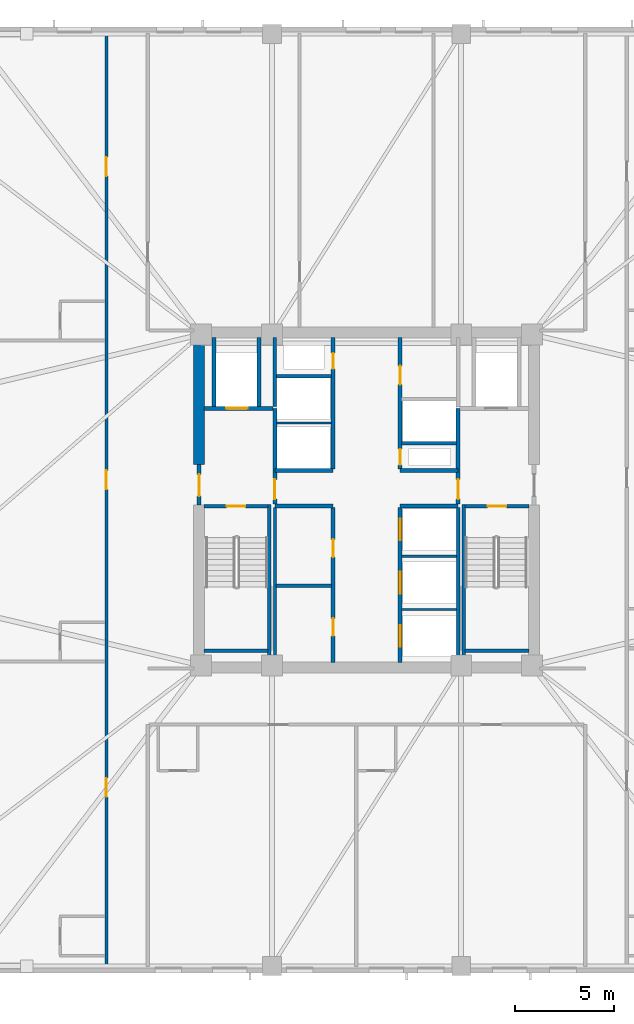
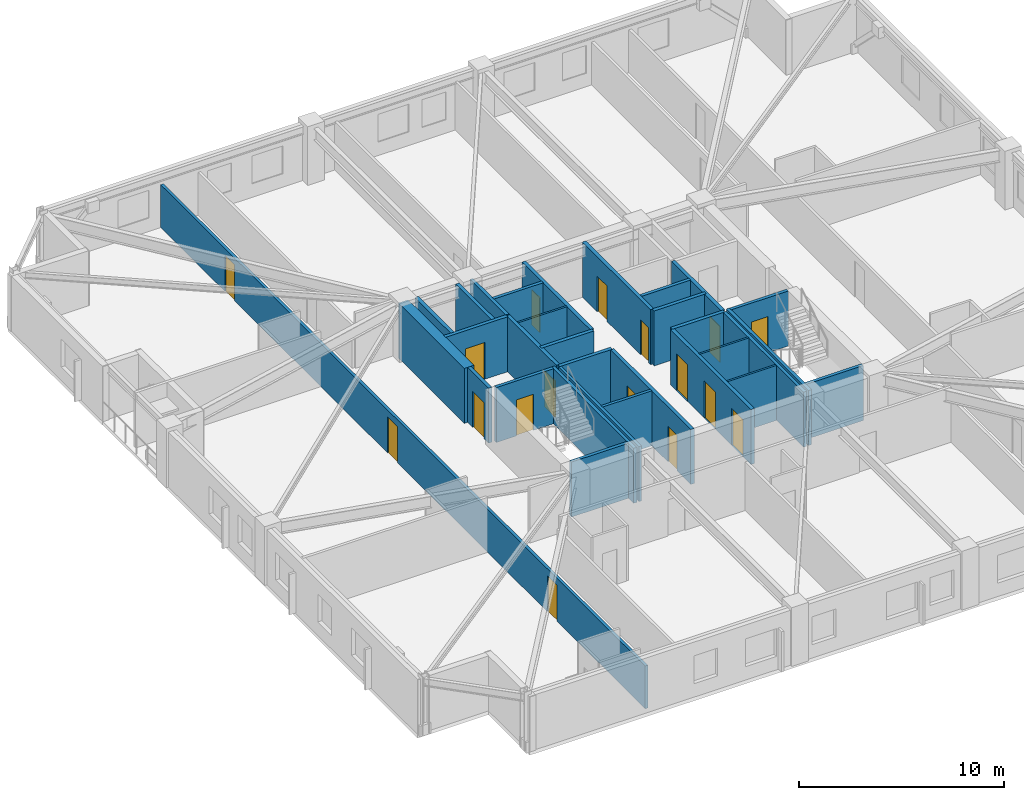
# One storey, part 3 of 10: 31 walls, 17 doors, 17 openings.
"""IFC4 building model written with IfcOpenShell, lengths in metres."""

import ifcopenshell
import ifcopenshell.guid

model = None  # the IFC model being written
_history = None  # IfcOwnerHistory: only IFC2X3 demands one
_inside = {}  # id of a spatial element -> (the spatial element, [elements in it])
_under = {}  # id of a project, library or spatial element -> (it, [spatial elements below it])
_declared = {}  # id of a project -> (the project, [libraries it declares])
_typed = {}  # id of a type object -> (the type object, [elements of that type])
_made_of = {}  # id of a material, layer set ... -> (it, [elements and type objects made of it])


def new_model(schema):
    """Start an empty IFC model of exactly this schema.

    Asked for "IFC4X3", IfcOpenShell would pick the latest addendum, in which some entities
    have other attributes; the version numbers below select the first issue.
    IFC2X3 requires an IfcOwnerHistory on every rooted entity: one is made here for all.
    """
    global model, _history
    if schema == "IFC4X3":
        model = ifcopenshell.file(schema_version=(4, 3, 0, 0))
    else:
        model = ifcopenshell.file(schema=schema)
    _inside.clear()
    _under.clear()
    _declared.clear()
    _typed.clear()
    _made_of.clear()
    _history = None
    if model.schema == "IFC2X3":
        org = make("IfcOrganization", Name="unknown")
        user = make(
            "IfcPersonAndOrganization",
            ThePerson=make("IfcPerson", FamilyName="unknown"),
            TheOrganization=org,
        )
        app = make(
            "IfcApplication",
            ApplicationDeveloper=org,
            Version="unknown",
            ApplicationFullName="unknown",
            ApplicationIdentifier="unknown",
        )
        _history = make(
            "IfcOwnerHistory",
            OwningUser=user,
            OwningApplication=app,
            ChangeAction="ADDED",
            CreationDate=0,
        )
    return model


def make(cls, **values):
    """One entity of the class cls with the attributes given. An attribute that is None is left unset."""
    return model.create_entity(
        cls, **{name: value for name, value in values.items() if value is not None}
    )


def rooted(cls, **values):
    """An entity with a GlobalId (a new one), such as an element, a storey or a relation."""
    return make(cls, GlobalId=ifcopenshell.guid.new(), OwnerHistory=_history, **values)


def si_unit(unit_type, name, prefix=None):
    """IfcSIUnit, for example si_unit("LENGTHUNIT", "METRE", prefix="MILLI")."""
    return make("IfcSIUnit", UnitType=unit_type, Prefix=prefix, Name=name)


def assignment(units):
    """IfcUnitAssignment: the units of a project."""
    return None if units is None else make("IfcUnitAssignment", Units=units)


def point(xyz):
    """IfcCartesianPoint."""
    return None if xyz is None else make("IfcCartesianPoint", Coordinates=xyz)


def direction(xyz):
    """IfcDirection."""
    return None if xyz is None else make("IfcDirection", DirectionRatios=xyz)


def frame(location, z_axis=None, x_axis=None):
    """IfcAxis2Placement3D, a coordinate frame: its origin and axes. An axis left out is left unset."""
    return make(
        "IfcAxis2Placement3D",
        Location=point(location),
        Axis=direction(z_axis),
        RefDirection=direction(x_axis),
    )


def frame_2d(location, x_axis=None):
    """IfcAxis2Placement2D, a coordinate frame in the plane: its origin and x axis."""
    return make(
        "IfcAxis2Placement2D", Location=point(location), RefDirection=direction(x_axis)
    )


def origin():
    """The frame at (0, 0, 0) with its axes left unset."""
    return frame((0.0, 0.0, 0.0))


def place(relative_to, where):
    """IfcLocalPlacement: puts the frame where relative to a parent placement (None: the world)."""
    return make(
        "IfcLocalPlacement", PlacementRelTo=relative_to, RelativePlacement=where
    )


def context(
    kind, dimensions, precision=None, world=None, true_north=None, identifier=None
):
    """IfcGeometricRepresentationContext, for example the 3D "Model" context."""
    return make(
        "IfcGeometricRepresentationContext",
        ContextIdentifier=identifier,
        ContextType=kind,
        CoordinateSpaceDimension=dimensions,
        Precision=precision,
        WorldCoordinateSystem=world,
        TrueNorth=true_north,
    )


def subcontext(parent, identifier, kind, view, scale=None):
    """IfcGeometricRepresentationSubContext, for example "Body" below "Model"."""
    return make(
        "IfcGeometricRepresentationSubContext",
        ContextIdentifier=identifier,
        ContextType=kind,
        ParentContext=parent,
        TargetScale=scale,
        TargetView=view,
    )


def project(units=None, contexts=None):
    """IfcProject with its units and contexts."""
    return rooted(
        "IfcProject",
        Name="project",
        RepresentationContexts=contexts,
        UnitsInContext=assignment(units),
    )


def spatial(cls, under=None, at=None, **own):
    """A site, building, storey or space (cls), placed at a placement, below another one or the project."""
    s = rooted(cls, ObjectPlacement=at, **own)
    if under is not None:
        _under.setdefault(under.id(), (under, []))[1].append(s)
    return s


def profile(cls, at=None, kind="AREA", **sizes):
    """A parametric profile (cls). Its sizes go by their IFC names, for example OverallWidth=200.0."""
    return make(cls, ProfileType=kind, Position=at, **sizes)


def rectangle(**sizes):
    """IfcRectangleProfileDef."""
    return profile("IfcRectangleProfileDef", **sizes)


def extrude(swept, where, along, depth):
    """IfcExtrudedAreaSolid: the profile swept, set in the frame where, extruded along a direction by depth."""
    return make(
        "IfcExtrudedAreaSolid",
        SweptArea=swept,
        Position=where,
        ExtrudedDirection=direction(along),
        Depth=depth,
    )


def shape(context_of_items, identifier, shape_type, items):
    """IfcShapeRepresentation: the items that make up one representation, for example the "Body"."""
    return make(
        "IfcShapeRepresentation",
        ContextOfItems=context_of_items,
        RepresentationIdentifier=identifier,
        RepresentationType=shape_type,
        Items=items,
    )


def material(Name=None, Category=None):
    """IfcMaterial."""
    return make("IfcMaterial", Name=Name, Category=Category)


def layer(
    of_material, thickness, ventilated=None, Name=None, Category=None, Priority=None
):
    """IfcMaterialLayer: one layer of a wall or slab, of a material (None: an air gap)."""
    return make(
        "IfcMaterialLayer",
        Material=of_material,
        LayerThickness=thickness,
        IsVentilated=ventilated,
        Name=Name,
        Category=Category,
        Priority=Priority,
    )


def layer_set(layers, Name=None):
    """IfcMaterialLayerSet."""
    return make("IfcMaterialLayerSet", MaterialLayers=layers, LayerSetName=Name)


def made_of(thing, what):
    """Note that an element or type object is made of a material, layer set ...; save() writes the relation."""
    if what is not None:
        _made_of.setdefault(what.id(), (what, []))[1].append(thing)
    return thing


def type_object(cls, material=None, **own):
    """A type object (cls), such as IfcWallType, which elements share."""
    return made_of(rooted(cls, **own), material)


def element(
    cls,
    number,
    at=None,
    inside=None,
    cuts=None,
    type_object=None,
    material=None,
    context=None,
    identifier="Body",
    shape_type=None,
    held_by="IfcProductDefinitionShape",
    body=None,
    shapes=None,
    **own,
):
    """One element of the class cls, such as IfcWall. Its Tag is "e" and its number.

    at: its placement. inside: the storey or other place that contains it. cuts: it is an
    opening in that element (IfcRelVoidsElement). A single representation is given by context,
    identifier, shape_type and body (its items); several are given by shapes. held_by: the class
    of the entity that holds the representations. save() writes the other relations.
    """
    e = rooted(cls, Tag="e%d" % number, ObjectPlacement=at, **own)
    if body is not None:
        shapes = [shape(context, identifier, shape_type, body)]
    if shapes is not None:
        e.Representation = make(held_by, Representations=shapes)
    if inside is not None:
        _inside.setdefault(inside.id(), (inside, []))[1].append(e)
    if cuts is not None:
        rooted(
            "IfcRelVoidsElement", RelatingBuildingElement=cuts, RelatedOpeningElement=e
        )
    if type_object is not None:
        _typed.setdefault(type_object.id(), (type_object, []))[1].append(e)
    return made_of(e, material)


def fill(opening, filler):
    """IfcRelFillsElement: the door or window that sits in an opening."""
    return rooted(
        "IfcRelFillsElement",
        RelatingOpeningElement=opening,
        RelatedBuildingElement=filler,
    )


def aggregate(whole, parts):
    """IfcRelAggregates: a whole, such as a stair, and the parts it consists of."""
    return rooted("IfcRelAggregates", RelatingObject=whole, RelatedObjects=parts)


def save(model, path):
    """Write the relations noted so far, then the file.

    IfcRelAggregates (storeys below a building ...), IfcRelContainedInSpatialStructure (elements
    in a storey), IfcRelDefinesByType, IfcRelAssociatesMaterial and IfcRelDeclares: one each for
    every whole, place, type object, material and project.
    """
    for whole, parts in _under.values():
        aggregate(whole, parts)
    for where, things in _inside.values():
        rooted(
            "IfcRelContainedInSpatialStructure",
            RelatedElements=things,
            RelatingStructure=where,
        )
    for kind, things in _typed.values():
        rooted("IfcRelDefinesByType", RelatedObjects=things, RelatingType=kind)
    for what, things in _made_of.values():
        rooted("IfcRelAssociatesMaterial", RelatedObjects=things, RelatingMaterial=what)
    for by, libraries in _declared.values():
        rooted("IfcRelDeclares", RelatingContext=by, RelatedDefinitions=libraries)
    model.write(path)


model = new_model("IFC4")

# Units and contexts
model_context = context("Model", 3, precision=1e-05, world=origin(), true_north=direction((0.0, 1.0)))
body_context = subcontext(model_context, "Body", "Model", "MODEL_VIEW")
ifc_project = project(units=[si_unit("LENGTHUNIT", "METRE"), si_unit("AREAUNIT", "SQUARE_METRE"), si_unit("VOLUMEUNIT", "CUBIC_METRE"), si_unit("PLANEANGLEUNIT", "RADIAN"), si_unit("MASSUNIT", "GRAM", prefix="KILO")], contexts=[model_context])

# Site, building, storey
site_placement = place(None, origin())
site = spatial("IfcSite", under=ifc_project, at=site_placement, CompositionType="ELEMENT")
building_placement = place(site_placement, origin())
building = spatial("IfcBuilding", under=site, at=building_placement, Name="Cairnveth Concourse Tower", CompositionType="ELEMENT")
storey_placement = place(building_placement, frame((0.0, 0.0, 109.5)))
storey = spatial("IfcBuildingStorey", under=building, at=storey_placement, Name="L29", CompositionType="ELEMENT", Elevation=109.5)

# Walls
ifc_material_1 = material(Name="Gypsum Plasterboard Partition", Category="gypsum")
ifc_layer_1 = layer(ifc_material_1, 0.159912109375)
ifc_layer_set_1 = layer_set([ifc_layer_1], Name="Gypsum Plasterboard Partition")
wall_type_1 = type_object("IfcWallType", Name="ACOUSTIC PARTY WALL 180", PredefinedType="PARTITIONING", material=ifc_layer_set_1)
wall_1_placement = place(storey_placement, frame((47.35009765625, 30.760009765625, 0.0), z_axis=(0.0, 0.0, 1.0), x_axis=(0.0, 1.0, 0.0)))
element("IfcWall", 1, at=wall_1_placement, inside=storey, type_object=wall_type_1, Name="Interior Wall IW-L29-025", PredefinedType="PARTITIONING", context=body_context, shape_type="SweptSolid", body=[
    extrude(rectangle(XDim=7.85498046875, YDim=0.159912109375, at=frame_2d((3.927490234375, 0.0))), origin(), (0.0, 0.0, 1.0), 3.280029296875),
])
wall_2_placement = place(storey_placement, frame((47.4150390625, 34.64990234375, 0.0), z_axis=(0.0, 0.0, 1.0), x_axis=(1.0, 0.0, 0.0)))
element("IfcWall", 2, at=wall_2_placement, inside=storey, type_object=wall_type_1, Name="Interior Wall IW-L29-026", PredefinedType="PARTITIONING", context=body_context, shape_type="SweptSolid", body=[
    extrude(rectangle(XDim=2.800048828125, YDim=0.159912109375, at=frame_2d((1.39990234375, 0.0))), origin(), (0.0, 0.0, 1.0), 3.280029296875),
])

# Wall, openings, doors
wall_3_placement = place(storey_placement, frame((38.800048828125, 15.324951171875, 0.0), z_axis=(0.0, 0.0, 1.0), x_axis=(0.0, 1.0, 0.0)))
wall_3 = element("IfcWall", 3, at=wall_3_placement, inside=storey, type_object=wall_type_1, Name="Interior Wall IW-L29-036", PredefinedType="PARTITIONING", context=body_context, shape_type="SweptSolid", body=[
    extrude(rectangle(XDim=47.35009765625, YDim=0.159912109375, at=frame_2d((23.675048828125, 0.0))), origin(), (0.0, 0.0, 1.0), 2.554931640625),
])
opening_1_placement = place(wall_3_placement, frame((8.60595703125, 0.0, 0.0)))
opening_1 = element("IfcOpeningElement", 4, at=opening_1_placement, cuts=wall_3, Name="Opening ID09", PredefinedType="OPENING", context=body_context, shape_type="SweptSolid", body=[
    extrude(rectangle(XDim=0.9599609375, YDim=2.14990234375, at=frame_2d((0.47998046875, 1.074951171875))), frame((0.0, 0.08984375, 0.0), z_axis=(0.0, -1.0, 0.0), x_axis=(1.0, 0.0, 0.0)), (0.0, 0.0, 1.0), 0.179931640625),
])
opening_2_placement = place(wall_3_placement, frame((24.218017578125, 0.0, 0.0)))
opening_2 = element("IfcOpeningElement", 5, at=opening_2_placement, cuts=wall_3, Name="Opening ID09", PredefinedType="OPENING", context=body_context, shape_type="SweptSolid", body=[
    extrude(rectangle(XDim=0.9599609375, YDim=2.14990234375, at=frame_2d((0.47998046875, 1.074951171875))), frame((0.0, 0.08984375, 0.0), z_axis=(0.0, -1.0, 0.0), x_axis=(1.0, 0.0, 0.0)), (0.0, 0.0, 1.0), 0.179931640625),
])
opening_3_placement = place(wall_3_placement, frame((40.10693359375, 0.0, 0.0)))
opening_3 = element("IfcOpeningElement", 6, at=opening_3_placement, cuts=wall_3, Name="Opening ID09", PredefinedType="OPENING", context=body_context, shape_type="SweptSolid", body=[
    extrude(rectangle(XDim=0.9599609375, YDim=2.14990234375, at=frame_2d((0.47998046875, 1.074951171875))), frame((0.0, 0.08984375, 0.0), z_axis=(0.0, -1.0, 0.0), x_axis=(1.0, 0.0, 0.0)), (0.0, 0.0, 1.0), 0.179931640625),
])
ifc_material_2 = material(Name="Solid Core Hardwood Timber Leaf", Category="wood")
door_type_1 = type_object("IfcDoorType", Name="HOTEL ENTRANCE DOOR 960X2150", OperationType="NOTDEFINED", PredefinedType="DOOR", material=ifc_material_2)
door_1_placement = place(opening_1_placement, origin())
door_1 = element("IfcDoor", 7, at=door_1_placement, inside=storey, type_object=door_type_1, Name="Hotel Room Door L29-W1", OperationType="SINGLE_SWING_LEFT", OverallHeight=2.14990234375, OverallWidth=0.9599609375, PredefinedType="DOOR", context=body_context, shape_type="SweptSolid", body=[
    extrude(rectangle(XDim=0.9599609375, YDim=2.14990234375, at=frame_2d((0.47998046875, 1.074951171875))), frame((0.0, 0.02490234375, 0.0), z_axis=(0.0, -1.0, 0.0), x_axis=(1.0, 0.0, 0.0)), (0.0, 0.0, 1.0), 0.050048828125),
])
fill(opening_1, door_1)
door_2_placement = place(opening_2_placement, origin())
door_2 = element("IfcDoor", 8, at=door_2_placement, inside=storey, type_object=door_type_1, Name="Hotel Room Door L29-W2", OperationType="SINGLE_SWING_LEFT", OverallHeight=2.14990234375, OverallWidth=0.9599609375, PredefinedType="DOOR", context=body_context, shape_type="SweptSolid", body=[
    extrude(rectangle(XDim=0.9599609375, YDim=2.14990234375, at=frame_2d((0.47998046875, 1.074951171875))), frame((0.0, 0.02490234375, 0.0), z_axis=(0.0, -1.0, 0.0), x_axis=(1.0, 0.0, 0.0)), (0.0, 0.0, 1.0), 0.050048828125),
])
fill(opening_2, door_2)
door_3_placement = place(opening_3_placement, origin())
door_3 = element("IfcDoor", 9, at=door_3_placement, inside=storey, type_object=door_type_1, Name="Hotel Room Door L29-W3", OperationType="SINGLE_SWING_LEFT", OverallHeight=2.14990234375, OverallWidth=0.9599609375, PredefinedType="DOOR", context=body_context, shape_type="SweptSolid", body=[
    extrude(rectangle(XDim=0.9599609375, YDim=2.14990234375, at=frame_2d((0.47998046875, 1.074951171875))), frame((0.0, 0.02490234375, 0.0), z_axis=(0.0, -1.0, 0.0), x_axis=(1.0, 0.0, 0.0)), (0.0, 0.0, 1.0), 0.050048828125),
])
fill(opening_3, door_3)

# Walls
ifc_material_3 = material(Name="Concrete N80 (80 MPa)", Category="concrete")
ifc_layer_2 = layer(ifc_material_3, 0.550048828125)
ifc_layer_set_2 = layer_set([ifc_layer_2], Name="Concrete N80 (80 MPa)")
wall_type_2 = type_object("IfcWallType", Name="CORE SHEAR WALL 550", PredefinedType="SHEAR", material=ifc_layer_set_2)
wall_4_placement = place(storey_placement, frame((43.5, 40.800048828125, 0.0), z_axis=(0.0, 0.0, 1.0), x_axis=(0.0, 1.0, 0.0)))
element("IfcWall", 10, at=wall_4_placement, inside=storey, type_object=wall_type_2, Name="Core West Shear Wall N L29", PredefinedType="SHEAR", context=body_context, shape_type="SweptSolid", body=[
    extrude(rectangle(XDim=6.43505859375, YDim=0.550048828125, at=frame_2d((3.217529296875, 0.0))), origin(), (0.0, 0.0, 1.0), 3.280029296875),
])
ifc_material_4 = material(Name="Concrete N50 (50 MPa)", Category="concrete")
ifc_layer_3 = layer(ifc_material_4, 0.179931640625)
ifc_layer_set_3 = layer_set([ifc_layer_3], Name="Concrete N50 (50 MPa)")
wall_type_3 = type_object("IfcWallType", Name="FIRE SHAFT WALL 180", PredefinedType="SOLIDWALL", material=ifc_layer_set_3)
wall_5_placement = place(storey_placement, frame((56.64990234375, 30.760009765625, 0.0), z_axis=(0.0, 0.0, 1.0), x_axis=(0.0, 1.0, 0.0)))
element("IfcWall", 11, at=wall_5_placement, inside=storey, type_object=wall_type_3, Name="Interior Wall IW-L29-027", PredefinedType="SOLIDWALL", context=body_context, shape_type="SweptSolid", body=[
    extrude(rectangle(XDim=7.85498046875, YDim=0.179931640625, at=frame_2d((3.927490234375, 0.0))), origin(), (0.0, 0.0, 1.0), 3.280029296875),
])
wall_6_placement = place(storey_placement, frame((47.35009765625, 43.735107421875, 0.0), z_axis=(0.0, 0.0, 1.0), x_axis=(0.0, 1.0, 0.0)))
element("IfcWall", 12, at=wall_6_placement, inside=storey, type_object=wall_type_3, Name="Interior Wall IW-L29-030", PredefinedType="SOLIDWALL", context=body_context, shape_type="SweptSolid", body=[
    extrude(rectangle(XDim=3.5048828125, YDim=0.179931640625, at=frame_2d((1.75244140625, 0.0))), origin(), (0.0, 0.0, 1.0), 3.280029296875),
])
wall_7_placement = place(storey_placement, frame((47.425048828125, 45.280029296875, 0.0), z_axis=(0.0, 0.0, 1.0), x_axis=(1.0, 0.0, 0.0)))
element("IfcWall", 13, at=wall_7_placement, inside=storey, type_object=wall_type_3, Name="Interior Wall IW-L29-032", PredefinedType="SOLIDWALL", context=body_context, shape_type="SweptSolid", body=[
    extrude(rectangle(XDim=2.7900390625, YDim=0.179931640625, at=frame_2d((1.39501953125, 0.0))), origin(), (0.0, 0.0, 1.0), 3.280029296875),
])
wall_8_placement = place(storey_placement, frame((53.784912109375, 41.8798828125, 0.0), z_axis=(0.0, 0.0, 1.0), x_axis=(1.0, 0.0, 0.0)))
element("IfcWall", 14, at=wall_8_placement, inside=storey, type_object=wall_type_3, Name="Interior Wall IW-L29-034", PredefinedType="SOLIDWALL", context=body_context, shape_type="SweptSolid", body=[
    extrude(rectangle(XDim=2.780029296875, YDim=0.179931640625, at=frame_2d((1.39013671875, 0.0))), origin(), (0.0, 0.0, 1.0), 3.280029296875),
])

# Wall, opening, door
wall_9_placement = place(storey_placement, frame((43.764892578125, 38.68994140625, 0.0), z_axis=(0.0, 0.0, 1.0), x_axis=(1.0, 0.0, 0.0)))
wall_9 = element("IfcWall", 15, at=wall_9_placement, inside=storey, type_object=wall_type_3, Name="Stair ST-1 Shaft Wall NEAR L29", PredefinedType="SOLIDWALL", context=body_context, shape_type="SweptSolid", body=[
    extrude(rectangle(XDim=3.230224609375, YDim=0.179931640625, at=frame_2d((1.615234375, 0.0))), origin(), (0.0, 0.0, 1.0), 3.280029296875),
])
opening_4_placement = place(wall_9_placement, frame((1.139892578125, 0.0, 0.0)))
opening_4 = element("IfcOpeningElement", 16, at=opening_4_placement, cuts=wall_9, Name="Opening ID12", PredefinedType="OPENING", context=body_context, shape_type="SweptSolid", body=[
    extrude(rectangle(XDim=0.949951171875, YDim=2.14990234375, at=frame_2d((0.47509765625, 1.074951171875))), frame((0.0, 0.099853515625, 0.0), z_axis=(0.0, -1.0, 0.0), x_axis=(1.0, 0.0, 0.0)), (0.0, 0.0, 1.0), 0.199951171875),
])
ifc_material_5 = material(Name="Steel Grade 350", Category="steel")
door_type_2 = type_object("IfcDoorType", Name="FIRE STAIR DOOR 950X2150", OperationType="NOTDEFINED", PredefinedType="DOOR", material=ifc_material_5)
door_4_placement = place(opening_4_placement, origin())
door_4 = element("IfcDoor", 17, at=door_4_placement, inside=storey, type_object=door_type_2, Name="Stair ST-1 Fire Door L29", OperationType="SINGLE_SWING_LEFT", OverallHeight=2.14990234375, OverallWidth=0.949951171875, PredefinedType="DOOR", context=body_context, shape_type="SweptSolid", body=[
    extrude(rectangle(XDim=0.949951171875, YDim=2.14990234375, at=frame_2d((0.47509765625, 1.074951171875))), frame((0.0, 0.02490234375, 0.0), z_axis=(0.0, -1.0, 0.0), x_axis=(1.0, 0.0, 0.0)), (0.0, 0.0, 1.0), 0.050048828125),
])
fill(opening_4, door_4)

# Walls
wall_10_placement = place(storey_placement, frame((43.764892578125, 31.360107421875, 0.0), z_axis=(0.0, 0.0, 1.0), x_axis=(1.0, 0.0, 0.0)))
element("IfcWall", 18, at=wall_10_placement, inside=storey, type_object=wall_type_3, Name="Stair ST-1 Shaft Wall FAR L29", PredefinedType="SOLIDWALL", context=body_context, shape_type="SweptSolid", body=[
    extrude(rectangle(XDim=3.230224609375, YDim=0.179931640625, at=frame_2d((1.615234375, 0.0))), origin(), (0.0, 0.0, 1.0), 3.280029296875),
])
wall_11_placement = place(storey_placement, frame((47.070068359375, 38.780029296875, 0.0), z_axis=(0.0, 0.0, 1.0), x_axis=(0.0, -1.0, 0.0)))
element("IfcWall", 19, at=wall_11_placement, inside=storey, type_object=wall_type_3, Name="Stair ST-1 Shaft Wall RGHT L29", PredefinedType="SOLIDWALL", context=body_context, shape_type="SweptSolid", body=[
    extrude(rectangle(XDim=8.01708984375, YDim=0.179931640625, at=frame_2d((4.008544921875, 0.0))), origin(), (0.0, 0.0, 1.0), 3.280029296875),
])

# Wall, opening, door
wall_12_placement = place(storey_placement, frame((57.0048828125, 38.68994140625, 0.0), z_axis=(0.0, 0.0, 1.0), x_axis=(1.0, 0.0, 0.0)))
wall_12 = element("IfcWall", 20, at=wall_12_placement, inside=storey, type_object=wall_type_3, Name="Stair ST-2 Shaft Wall NEAR L29", PredefinedType="SOLIDWALL", context=body_context, shape_type="SweptSolid", body=[
    extrude(rectangle(XDim=3.230224609375, YDim=0.179931640625, at=frame_2d((1.615234375, 0.0))), origin(), (0.0, 0.0, 1.0), 3.280029296875),
])
opening_5_placement = place(wall_12_placement, frame((1.139892578125, 0.0, 0.0)))
opening_5 = element("IfcOpeningElement", 21, at=opening_5_placement, cuts=wall_12, Name="Opening ID12", PredefinedType="OPENING", context=body_context, shape_type="SweptSolid", body=[
    extrude(rectangle(XDim=0.949951171875, YDim=2.14990234375, at=frame_2d((0.47509765625, 1.074951171875))), frame((0.0, 0.099853515625, 0.0), z_axis=(0.0, -1.0, 0.0), x_axis=(1.0, 0.0, 0.0)), (0.0, 0.0, 1.0), 0.199951171875),
])
door_5_placement = place(opening_5_placement, origin())
door_5 = element("IfcDoor", 22, at=door_5_placement, inside=storey, type_object=door_type_2, Name="Stair ST-2 Fire Door L29", OperationType="SINGLE_SWING_RIGHT", OverallHeight=2.14990234375, OverallWidth=0.949951171875, PredefinedType="DOOR", context=body_context, shape_type="SweptSolid", body=[
    extrude(rectangle(XDim=0.949951171875, YDim=2.14990234375, at=frame_2d((0.47509765625, 1.074951171875))), frame((0.0, 0.02490234375, 0.0), z_axis=(0.0, -1.0, 0.0), x_axis=(1.0, 0.0, 0.0)), (0.0, 0.0, 1.0), 0.050048828125),
])
fill(opening_5, door_5)

# Walls
wall_13_placement = place(storey_placement, frame((57.0048828125, 31.360107421875, 0.0), z_axis=(0.0, 0.0, 1.0), x_axis=(1.0, 0.0, 0.0)))
element("IfcWall", 23, at=wall_13_placement, inside=storey, type_object=wall_type_3, Name="Stair ST-2 Shaft Wall FAR L29", PredefinedType="SOLIDWALL", context=body_context, shape_type="SweptSolid", body=[
    extrude(rectangle(XDim=3.230224609375, YDim=0.179931640625, at=frame_2d((1.615234375, 0.0))), origin(), (0.0, 0.0, 1.0), 3.280029296875),
])
wall_14_placement = place(storey_placement, frame((56.929931640625, 38.780029296875, 0.0), z_axis=(0.0, 0.0, 1.0), x_axis=(0.0, -1.0, 0.0)))
element("IfcWall", 24, at=wall_14_placement, inside=storey, type_object=wall_type_3, Name="Stair ST-2 Shaft Wall LEFT L29", PredefinedType="SOLIDWALL", context=body_context, shape_type="SweptSolid", body=[
    extrude(rectangle(XDim=8.01708984375, YDim=0.179931640625, at=frame_2d((4.008544921875, 0.0))), origin(), (0.0, 0.0, 1.0), 3.280029296875),
])
ifc_layer_4 = layer(ifc_material_4, 0.199951171875)
ifc_layer_set_4 = layer_set([ifc_layer_4], Name="Concrete N50 (50 MPa)")
wall_type_4 = type_object("IfcWallType", Name="FIRE SHAFT WALL 200", PredefinedType="SOLIDWALL", material=ifc_layer_set_4)
for number, where, z_axis, x_axis, name in (
    (25, (47.35009765625, 38.699951171875, 0.0), (0.0, 0.0, 1.0), (1.0, 0.0, 0.0), "Interior Wall IW-L29-007"),
    (26, (47.35009765625, 40.5, 0.0), (0.0, 0.0, 1.0), (1.0, 0.0, 0.0), "Interior Wall IW-L29-008"),
    (27, (53.699951171875, 38.699951171875, 0.0), (0.0, 0.0, 1.0), (1.0, 0.0, 0.0), "Interior Wall IW-L29-009"),
    (28, (53.699951171875, 40.5, 0.0), (0.0, 0.0, 1.0), (1.0, 0.0, 0.0), "Interior Wall IW-L29-010"),
):
    element("IfcWall", number, at=place(storey_placement, frame(where, z_axis=z_axis, x_axis=x_axis)), inside=storey, type_object=wall_type_4, Name=name, PredefinedType="SOLIDWALL", context=body_context, shape_type="SweptSolid", body=[
        extrude(rectangle(XDim=2.949951171875, YDim=0.199951171875, at=frame_2d((1.47509765625, 0.0))), origin(), (0.0, 0.0, 1.0), 3.280029296875),
    ])

# Wall, openings, doors
wall_15_placement = place(storey_placement, frame((50.300048828125, 30.760009765625, 0.0), z_axis=(0.0, 0.0, 1.0), x_axis=(0.0, 1.0, 0.0)))
wall_15 = element("IfcWall", 29, at=wall_15_placement, inside=storey, type_object=wall_type_4, Name="Interior Wall IW-L29-011", PredefinedType="SOLIDWALL", context=body_context, shape_type="SweptSolid", body=[
    extrude(rectangle(XDim=7.85498046875, YDim=0.199951171875, at=frame_2d((3.927490234375, 0.0))), origin(), (0.0, 0.0, 1.0), 3.280029296875),
])
opening_6_placement = place(wall_15_placement, frame((1.340087890625, 0.0, 0.0)))
opening_6 = element("IfcOpeningElement", 30, at=opening_6_placement, cuts=wall_15, Name="Opening ID26", PredefinedType="OPENING", context=body_context, shape_type="SweptSolid", body=[
    extrude(rectangle(XDim=0.89990234375, YDim=2.1201171875, at=frame_2d((0.449951171875, 1.06005859375))), frame((0.0, 0.10986328125, 0.0), z_axis=(0.0, -1.0, 0.0), x_axis=(1.0, 0.0, 0.0)), (0.0, 0.0, 1.0), 0.219970703125),
])
opening_7_placement = place(wall_15_placement, frame((5.340087890625, 0.0, 0.0)))
opening_7 = element("IfcOpeningElement", 31, at=opening_7_placement, cuts=wall_15, Name="Opening ID26", PredefinedType="OPENING", context=body_context, shape_type="SweptSolid", body=[
    extrude(rectangle(XDim=0.89990234375, YDim=2.1201171875, at=frame_2d((0.449951171875, 1.06005859375))), frame((0.0, 0.10986328125, 0.0), z_axis=(0.0, -1.0, 0.0), x_axis=(1.0, 0.0, 0.0)), (0.0, 0.0, 1.0), 0.219970703125),
])
door_type_3 = type_object("IfcDoorType", Name="CORE TOILET FIRE DOOR 900X2120", OperationType="NOTDEFINED", PredefinedType="DOOR", material=ifc_material_5)
door_6_placement = place(opening_6_placement, origin())
door_6 = element("IfcDoor", 32, at=door_6_placement, inside=storey, type_object=door_type_3, Name="Male WC Door L29", OperationType="SINGLE_SWING_LEFT", OverallHeight=2.1201171875, OverallWidth=0.89990234375, PredefinedType="DOOR", context=body_context, shape_type="SweptSolid", body=[
    extrude(rectangle(XDim=0.89990234375, YDim=2.1201171875, at=frame_2d((0.449951171875, 1.06005859375))), frame((0.0, 0.02490234375, 0.0), z_axis=(0.0, -1.0, 0.0), x_axis=(1.0, 0.0, 0.0)), (0.0, 0.0, 1.0), 0.050048828125),
])
fill(opening_6, door_6)
door_7_placement = place(opening_7_placement, origin())
door_7 = element("IfcDoor", 33, at=door_7_placement, inside=storey, type_object=door_type_3, Name="Female WC Door L29", OperationType="SINGLE_SWING_RIGHT", OverallHeight=2.1201171875, OverallWidth=0.89990234375, PredefinedType="DOOR", context=body_context, shape_type="SweptSolid", body=[
    extrude(rectangle(XDim=0.89990234375, YDim=2.1201171875, at=frame_2d((0.449951171875, 1.06005859375))), frame((0.0, 0.02490234375, 0.0), z_axis=(0.0, -1.0, 0.0), x_axis=(1.0, 0.0, 0.0)), (0.0, 0.0, 1.0), 0.050048828125),
])
fill(opening_7, door_7)

wall_16_placement = place(storey_placement, frame((53.699951171875, 30.760009765625, 0.0), z_axis=(0.0, 0.0, 1.0), x_axis=(0.0, 1.0, 0.0)))
wall_16 = element("IfcWall", 34, at=wall_16_placement, inside=storey, type_object=wall_type_4, Name="Interior Wall IW-L29-012", PredefinedType="SOLIDWALL", context=body_context, shape_type="SweptSolid", body=[
    extrude(rectangle(XDim=7.85498046875, YDim=0.199951171875, at=frame_2d((3.927490234375, 0.0))), origin(), (0.0, 0.0, 1.0), 3.280029296875),
])
opening_8_placement = place(wall_16_placement, frame((0.7900390625, 0.0, 0.0)))
opening_8 = element("IfcOpeningElement", 35, at=opening_8_placement, cuts=wall_16, Name="Opening LD-1", PredefinedType="OPENING", context=body_context, shape_type="SweptSolid", body=[
    extrude(rectangle(XDim=1.10009765625, YDim=2.199951171875, at=frame_2d((0.550048828125, 1.10009765625))), frame((0.0, 0.10986328125, 0.0), z_axis=(0.0, -1.0, 0.0), x_axis=(1.0, 0.0, 0.0)), (0.0, 0.0, 1.0), 0.219970703125),
])
opening_9_placement = place(wall_16_placement, frame((3.489990234375, 0.0, 0.0)))
opening_9 = element("IfcOpeningElement", 36, at=opening_9_placement, cuts=wall_16, Name="Opening LD-1", PredefinedType="OPENING", context=body_context, shape_type="SweptSolid", body=[
    extrude(rectangle(XDim=1.10009765625, YDim=2.199951171875, at=frame_2d((0.550048828125, 1.10009765625))), frame((0.0, 0.10986328125, 0.0), z_axis=(0.0, -1.0, 0.0), x_axis=(1.0, 0.0, 0.0)), (0.0, 0.0, 1.0), 0.219970703125),
])
opening_10_placement = place(wall_16_placement, frame((6.18994140625, 0.0, 0.0)))
opening_10 = element("IfcOpeningElement", 37, at=opening_10_placement, cuts=wall_16, Name="Opening LD-1", PredefinedType="OPENING", context=body_context, shape_type="SweptSolid", body=[
    extrude(rectangle(XDim=1.10009765625, YDim=2.199951171875, at=frame_2d((0.550048828125, 1.10009765625))), frame((0.0, 0.10986328125, 0.0), z_axis=(0.0, -1.0, 0.0), x_axis=(1.0, 0.0, 0.0)), (0.0, 0.0, 1.0), 0.219970703125),
])
ifc_material_6 = material(Name="Architectural Bronze Anodised Aluminium 6063-T6", Category="aluminium")
door_type_4 = type_object("IfcDoorType", Name="LIFT LANDING DOOR 1100X2200", OperationType="SLIDING_TO_LEFT", PredefinedType="DOOR", material=ifc_material_6)
door_8_placement = place(opening_8_placement, origin())
door_8 = element("IfcDoor", 38, at=door_8_placement, inside=storey, type_object=door_type_4, Name="Lift PL4 Landing Door L29", OperationType="SLIDING_TO_LEFT", OverallHeight=2.199951171875, OverallWidth=1.10009765625, PredefinedType="DOOR", context=body_context, shape_type="SweptSolid", body=[
    extrude(rectangle(XDim=1.10009765625, YDim=2.199951171875, at=frame_2d((0.550048828125, 1.10009765625))), frame((0.0, 0.02490234375, 0.0), z_axis=(0.0, -1.0, 0.0), x_axis=(1.0, 0.0, 0.0)), (0.0, 0.0, 1.0), 0.050048828125),
])
fill(opening_8, door_8)
door_9_placement = place(opening_9_placement, origin())
door_9 = element("IfcDoor", 39, at=door_9_placement, inside=storey, type_object=door_type_4, Name="Lift PL5 Landing Door L29", OperationType="SLIDING_TO_LEFT", OverallHeight=2.199951171875, OverallWidth=1.10009765625, PredefinedType="DOOR", context=body_context, shape_type="SweptSolid", body=[
    extrude(rectangle(XDim=1.10009765625, YDim=2.199951171875, at=frame_2d((0.550048828125, 1.10009765625))), frame((0.0, 0.02490234375, 0.0), z_axis=(0.0, -1.0, 0.0), x_axis=(1.0, 0.0, 0.0)), (0.0, 0.0, 1.0), 0.050048828125),
])
fill(opening_9, door_9)
door_10_placement = place(opening_10_placement, origin())
door_10 = element("IfcDoor", 40, at=door_10_placement, inside=storey, type_object=door_type_4, Name="Lift PL6 Landing Door L29", OperationType="SLIDING_TO_LEFT", OverallHeight=2.199951171875, OverallWidth=1.10009765625, PredefinedType="DOOR", context=body_context, shape_type="SweptSolid", body=[
    extrude(rectangle(XDim=1.10009765625, YDim=2.199951171875, at=frame_2d((0.550048828125, 1.10009765625))), frame((0.0, 0.02490234375, 0.0), z_axis=(0.0, -1.0, 0.0), x_axis=(1.0, 0.0, 0.0)), (0.0, 0.0, 1.0), 0.050048828125),
])
fill(opening_10, door_10)

# Wall, opening, door
wall_17_placement = place(storey_placement, frame((50.300048828125, 40.5849609375, 0.0), z_axis=(0.0, 0.0, 1.0), x_axis=(0.0, 1.0, 0.0)))
wall_17 = element("IfcWall", 41, at=wall_17_placement, inside=storey, type_object=wall_type_4, Name="Interior Wall IW-L29-013", PredefinedType="SOLIDWALL", context=body_context, shape_type="SweptSolid", body=[
    extrude(rectangle(XDim=6.655029296875, YDim=0.199951171875, at=frame_2d((3.32763671875, 0.0))), origin(), (0.0, 0.0, 1.0), 3.280029296875),
])
opening_11_placement = place(wall_17_placement, frame((5.06494140625, 0.0, 0.0)))
opening_11 = element("IfcOpeningElement", 42, at=opening_11_placement, cuts=wall_17, Name="Opening ID24", PredefinedType="OPENING", context=body_context, shape_type="SweptSolid", body=[
    extrude(rectangle(XDim=0.800048828125, YDim=2.080078125, at=frame_2d((0.39990234375, 1.0400390625))), frame((0.0, 0.10986328125, 0.0), z_axis=(0.0, -1.0, 0.0), x_axis=(1.0, 0.0, 0.0)), (0.0, 0.0, 1.0), 0.219970703125),
])
door_type_5 = type_object("IfcDoorType", Name="RISER ACCESS DOOR 800X2100", OperationType="NOTDEFINED", PredefinedType="DOOR", material=ifc_material_5)
door_11_placement = place(opening_11_placement, origin())
door_11 = element("IfcDoor", 43, at=door_11_placement, inside=storey, type_object=door_type_5, Name="NW Electrical Riser Access Door L29", OperationType="SINGLE_SWING_RIGHT", OverallHeight=2.080078125, OverallWidth=0.800048828125, PredefinedType="DOOR", context=body_context, shape_type="SweptSolid", body=[
    extrude(rectangle(XDim=0.800048828125, YDim=2.080078125, at=frame_2d((0.39990234375, 1.0400390625))), frame((0.0, 0.02490234375, 0.0), z_axis=(0.0, -1.0, 0.0), x_axis=(1.0, 0.0, 0.0)), (0.0, 0.0, 1.0), 0.050048828125),
])
fill(opening_11, door_11)

# Wall, openings, doors
wall_18_placement = place(storey_placement, frame((53.699951171875, 40.5849609375, 0.0), z_axis=(0.0, 0.0, 1.0), x_axis=(0.0, 1.0, 0.0)))
wall_18 = element("IfcWall", 44, at=wall_18_placement, inside=storey, type_object=wall_type_4, Name="Interior Wall IW-L29-014", PredefinedType="SOLIDWALL", context=body_context, shape_type="SweptSolid", body=[
    extrude(rectangle(XDim=6.655029296875, YDim=0.199951171875, at=frame_2d((3.32763671875, 0.0))), origin(), (0.0, 0.0, 1.0), 3.280029296875),
])
opening_12_placement = place(wall_18_placement, frame((0.195068359375, 0.0, 0.0)))
opening_12 = element("IfcOpeningElement", 45, at=opening_12_placement, cuts=wall_18, Name="Opening ID24", PredefinedType="OPENING", context=body_context, shape_type="SweptSolid", body=[
    extrude(rectangle(XDim=0.800048828125, YDim=2.080078125, at=frame_2d((0.39990234375, 1.0400390625))), frame((0.0, 0.10986328125, 0.0), z_axis=(0.0, -1.0, 0.0), x_axis=(1.0, 0.0, 0.0)), (0.0, 0.0, 1.0), 0.219970703125),
])
opening_13_placement = place(wall_18_placement, frame((4.264892578125, 0.0, 0.0)))
opening_13 = element("IfcOpeningElement", 46, at=opening_13_placement, cuts=wall_18, Name="Opening ID25", PredefinedType="OPENING", context=body_context, shape_type="SweptSolid", body=[
    extrude(rectangle(XDim=0.949951171875, YDim=2.1201171875, at=frame_2d((0.47509765625, 1.06005859375))), frame((0.0, 0.10986328125, 0.0), z_axis=(0.0, -1.0, 0.0), x_axis=(1.0, 0.0, 0.0)), (0.0, 0.0, 1.0), 0.219970703125),
])
door_type_6 = type_object("IfcDoorType", Name="CORE ACCESSIBLE FIRE DOOR 950X2120", OperationType="NOTDEFINED", PredefinedType="DOOR", material=ifc_material_5)
door_12_placement = place(opening_13_placement, origin())
door_12 = element("IfcDoor", 47, at=door_12_placement, inside=storey, type_object=door_type_6, Name="Core NE Accessible WC Door L29", OperationType="SINGLE_SWING_RIGHT", OverallHeight=2.1201171875, OverallWidth=0.949951171875, PredefinedType="DOOR", context=body_context, shape_type="SweptSolid", body=[
    extrude(rectangle(XDim=0.949951171875, YDim=2.1201171875, at=frame_2d((0.47509765625, 1.06005859375))), frame((0.0, 0.02490234375, 0.0), z_axis=(0.0, -1.0, 0.0), x_axis=(1.0, 0.0, 0.0)), (0.0, 0.0, 1.0), 0.050048828125),
])
fill(opening_13, door_12)
door_13_placement = place(opening_12_placement, origin())
door_13 = element("IfcDoor", 48, at=door_13_placement, inside=storey, type_object=door_type_5, Name="Hydraulic Riser Door L29", OperationType="SINGLE_SWING_LEFT", OverallHeight=2.080078125, OverallWidth=0.800048828125, PredefinedType="DOOR", context=body_context, shape_type="SweptSolid", body=[
    extrude(rectangle(XDim=0.800048828125, YDim=2.080078125, at=frame_2d((0.39990234375, 1.0400390625))), frame((0.0, 0.02490234375, 0.0), z_axis=(0.0, -1.0, 0.0), x_axis=(1.0, 0.0, 0.0)), (0.0, 0.0, 1.0), 0.050048828125),
])
fill(opening_12, door_13)

# Wall, opening, door
wall_19_placement = place(storey_placement, frame((43.5, 38.75, 0.0), z_axis=(0.0, 0.0, 1.0), x_axis=(0.0, 1.0, 0.0)))
wall_19 = element("IfcWall", 49, at=wall_19_placement, inside=storey, type_object=wall_type_4, Name="Interior Wall IW-L29-015", PredefinedType="SOLIDWALL", context=body_context, shape_type="SweptSolid", body=[
    extrude(rectangle(XDim=2.050048828125, YDim=0.199951171875, at=frame_2d((1.02490234375, 0.0))), origin(), (0.0, 0.0, 1.0), 3.280029296875),
])
opening_14_placement = place(wall_19_placement, frame((0.449951171875, 0.0, 0.0)))
opening_14 = element("IfcOpeningElement", 50, at=opening_14_placement, cuts=wall_19, Name="Opening ID06", PredefinedType="OPENING", context=body_context, shape_type="SweptSolid", body=[
    extrude(rectangle(XDim=1.10009765625, YDim=2.14990234375, at=frame_2d((0.550048828125, 1.074951171875))), frame((0.0, 0.10986328125, 0.0), z_axis=(0.0, -1.0, 0.0), x_axis=(1.0, 0.0, 0.0)), (0.0, 0.0, 1.0), 0.219970703125),
])
door_type_7 = type_object("IfcDoorType", Name="FIRE CORRIDOR DOOR 1100X2150", OperationType="NOTDEFINED", PredefinedType="DOOR", material=ifc_material_5)
door_14_placement = place(opening_14_placement, origin())
door_14 = element("IfcDoor", 51, at=door_14_placement, inside=storey, type_object=door_type_7, Name="West Wing to FF Lobby Door L29", OperationType="SINGLE_SWING_LEFT", OverallHeight=2.14990234375, OverallWidth=1.10009765625, PredefinedType="DOOR", context=body_context, shape_type="SweptSolid", body=[
    extrude(rectangle(XDim=1.10009765625, YDim=2.14990234375, at=frame_2d((0.550048828125, 1.074951171875))), frame((0.0, 0.02490234375, 0.0), z_axis=(0.0, -1.0, 0.0), x_axis=(1.0, 0.0, 0.0)), (0.0, 0.0, 1.0), 0.050048828125),
])
fill(opening_14, door_14)

wall_20_placement = place(storey_placement, frame((47.35009765625, 38.784912109375, 0.0), z_axis=(0.0, 0.0, 1.0), x_axis=(0.0, 1.0, 0.0)))
wall_20 = element("IfcWall", 52, at=wall_20_placement, inside=storey, type_object=wall_type_4, Name="Interior Wall IW-L29-016", PredefinedType="SOLIDWALL", context=body_context, shape_type="SweptSolid", body=[
    extrude(rectangle(XDim=4.864990234375, YDim=0.199951171875, at=frame_2d((2.4326171875, 0.0))), origin(), (0.0, 0.0, 1.0), 3.280029296875),
])
opening_15_placement = place(wall_20_placement, frame((0.264892578125, 0.0, 0.0)))
opening_15 = element("IfcOpeningElement", 53, at=opening_15_placement, cuts=wall_20, Name="Opening ID07", PredefinedType="OPENING", context=body_context, shape_type="SweptSolid", body=[
    extrude(rectangle(XDim=1.0, YDim=2.14990234375, at=frame_2d((0.5, 1.074951171875))), frame((0.0, 0.10986328125, 0.0), z_axis=(0.0, -1.0, 0.0), x_axis=(1.0, 0.0, 0.0)), (0.0, 0.0, 1.0), 0.219970703125),
])
door_type_8 = type_object("IfcDoorType", Name="FIRE CORRIDOR DOOR 1000X2150", OperationType="NOTDEFINED", PredefinedType="DOOR", material=ifc_material_5)
door_15_placement = place(opening_15_placement, origin())
door_15 = element("IfcDoor", 54, at=door_15_placement, inside=storey, type_object=door_type_8, Name="FF Lobby West to Lift Lobby Door L29", OperationType="SINGLE_SWING_RIGHT", OverallHeight=2.14990234375, OverallWidth=1.0, PredefinedType="DOOR", context=body_context, shape_type="SweptSolid", body=[
    extrude(rectangle(XDim=1.0, YDim=2.14990234375, at=frame_2d((0.5, 1.074951171875))), frame((0.0, 0.02490234375, 0.0), z_axis=(0.0, -1.0, 0.0), x_axis=(1.0, 0.0, 0.0)), (0.0, 0.0, 1.0), 0.050048828125),
])
fill(opening_15, door_15)

wall_21_placement = place(storey_placement, frame((43.760009765625, 43.64990234375, 0.0), z_axis=(0.0, 0.0, 1.0), x_axis=(1.0, 0.0, 0.0)))
wall_21 = element("IfcWall", 55, at=wall_21_placement, inside=storey, type_object=wall_type_4, Name="Interior Wall IW-L29-017", PredefinedType="SOLIDWALL", context=body_context, shape_type="SweptSolid", body=[
    extrude(rectangle(XDim=3.5048828125, YDim=0.199951171875, at=frame_2d((1.75244140625, 0.0))), origin(), (0.0, 0.0, 1.0), 3.280029296875),
])
opening_16_placement = place(wall_21_placement, frame((1.110107421875, 0.0, 0.0)))
opening_16 = element("IfcOpeningElement", 56, at=opening_16_placement, cuts=wall_21, Name="Opening LD-1", PredefinedType="OPENING", context=body_context, shape_type="SweptSolid", body=[
    extrude(rectangle(XDim=1.10009765625, YDim=2.199951171875, at=frame_2d((0.550048828125, 1.10009765625))), frame((0.0, 0.10986328125, 0.0), z_axis=(0.0, -1.0, 0.0), x_axis=(1.0, 0.0, 0.0)), (0.0, 0.0, 1.0), 0.219970703125),
])
door_16_placement = place(opening_16_placement, origin())
door_16 = element("IfcDoor", 57, at=door_16_placement, inside=storey, type_object=door_type_4, Name="Lift FFL1 Landing Door L29", OperationType="SLIDING_TO_LEFT", OverallHeight=2.199951171875, OverallWidth=1.10009765625, PredefinedType="DOOR", context=body_context, shape_type="SweptSolid", body=[
    extrude(rectangle(XDim=1.10009765625, YDim=2.199951171875, at=frame_2d((0.550048828125, 1.10009765625))), frame((0.0, 0.02490234375, 0.0), z_axis=(0.0, -1.0, 0.0), x_axis=(1.0, 0.0, 0.0)), (0.0, 0.0, 1.0), 0.050048828125),
])
fill(opening_16, door_16)

# Walls
for number, where, z_axis, x_axis, name in (
    (58, (46.550048828125, 43.735107421875, 0.0), (0.0, 0.0, 1.0), (0.0, 1.0, 0.0), "Interior Wall IW-L29-018"),
    (59, (44.25, 43.735107421875, 0.0), (0.0, 0.0, 1.0), (0.0, 1.0, 0.0), "Interior Wall IW-L29-019"),
):
    element("IfcWall", number, at=place(storey_placement, frame(where, z_axis=z_axis, x_axis=x_axis)), inside=storey, type_object=wall_type_4, Name=name, PredefinedType="SOLIDWALL", context=body_context, shape_type="SweptSolid", body=[
        extrude(rectangle(XDim=3.5048828125, YDim=0.199951171875, at=frame_2d((1.75244140625, 0.0))), origin(), (0.0, 0.0, 1.0), 3.280029296875),
    ])

# Wall, opening, door
wall_22_placement = place(storey_placement, frame((56.64990234375, 38.784912109375, 0.0), z_axis=(0.0, 0.0, 1.0), x_axis=(0.0, 1.0, 0.0)))
wall_22 = element("IfcWall", 60, at=wall_22_placement, inside=storey, type_object=wall_type_4, Name="Interior Wall IW-L29-021", PredefinedType="SOLIDWALL", context=body_context, shape_type="SweptSolid", body=[
    extrude(rectangle(XDim=4.864990234375, YDim=0.199951171875, at=frame_2d((2.4326171875, 0.0))), origin(), (0.0, 0.0, 1.0), 3.280029296875),
])
opening_17_placement = place(wall_22_placement, frame((0.264892578125, 0.0, 0.0)))
opening_17 = element("IfcOpeningElement", 61, at=opening_17_placement, cuts=wall_22, Name="Opening ID07", PredefinedType="OPENING", context=body_context, shape_type="SweptSolid", body=[
    extrude(rectangle(XDim=1.0, YDim=2.14990234375, at=frame_2d((0.5, 1.074951171875))), frame((0.0, 0.10986328125, 0.0), z_axis=(0.0, -1.0, 0.0), x_axis=(1.0, 0.0, 0.0)), (0.0, 0.0, 1.0), 0.219970703125),
])
door_17_placement = place(opening_17_placement, origin())
door_17 = element("IfcDoor", 62, at=door_17_placement, inside=storey, type_object=door_type_8, Name="FF Lobby East to Lift Lobby Door L29", OperationType="SINGLE_SWING_LEFT", OverallHeight=2.14990234375, OverallWidth=1.0, PredefinedType="DOOR", context=body_context, shape_type="SweptSolid", body=[
    extrude(rectangle(XDim=1.0, YDim=2.14990234375, at=frame_2d((0.5, 1.074951171875))), frame((0.0, 0.02490234375, 0.0), z_axis=(0.0, -1.0, 0.0), x_axis=(1.0, 0.0, 0.0)), (0.0, 0.0, 1.0), 0.050048828125),
])
fill(opening_17, door_17)

# Walls
ifc_layer_5 = layer(ifc_material_1, 0.110107421875)
ifc_layer_set_5 = layer_set([ifc_layer_5], Name="Gypsum Plasterboard Partition")
wall_type_5 = type_object("IfcWallType", Name="SHAFT DIVIDER WALL 140", PredefinedType="PARTITIONING", material=ifc_layer_set_5)
for number, where, z_axis, x_axis, name in (
    (63, (53.784912109375, 33.449951171875, 0.0), (0.0, 0.0, 1.0), (1.0, 0.0, 0.0), "Interior Wall IW-L29-028"),
    (64, (53.784912109375, 36.14990234375, 0.0), (0.0, 0.0, 1.0), (1.0, 0.0, 0.0), "Interior Wall IW-L29-029"),
):
    element("IfcWall", number, at=place(storey_placement, frame(where, z_axis=z_axis, x_axis=x_axis)), inside=storey, type_object=wall_type_5, Name=name, PredefinedType="PARTITIONING", context=body_context, shape_type="SweptSolid", body=[
        extrude(rectangle(XDim=2.7900390625, YDim=0.110107421875, at=frame_2d((1.39501953125, 0.0))), origin(), (0.0, 0.0, 1.0), 3.280029296875),
    ])
wall_23_placement = place(storey_placement, frame((47.43505859375, 42.89990234375, 0.0), z_axis=(0.0, 0.0, 1.0), x_axis=(1.0, 0.0, 0.0)))
element("IfcWall", 65, at=wall_23_placement, inside=storey, type_object=wall_type_5, Name="Interior Wall IW-L29-031", PredefinedType="PARTITIONING", context=body_context, shape_type="SweptSolid", body=[
    extrude(rectangle(XDim=2.780029296875, YDim=0.110107421875, at=frame_2d((1.39013671875, 0.0))), origin(), (0.0, 0.0, 1.0), 3.280029296875),
])

save(model, "model.ifc")
